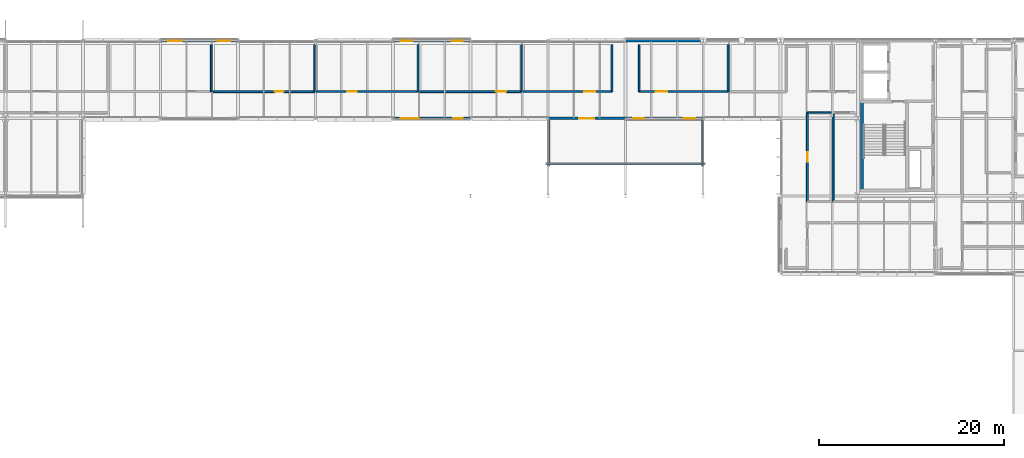
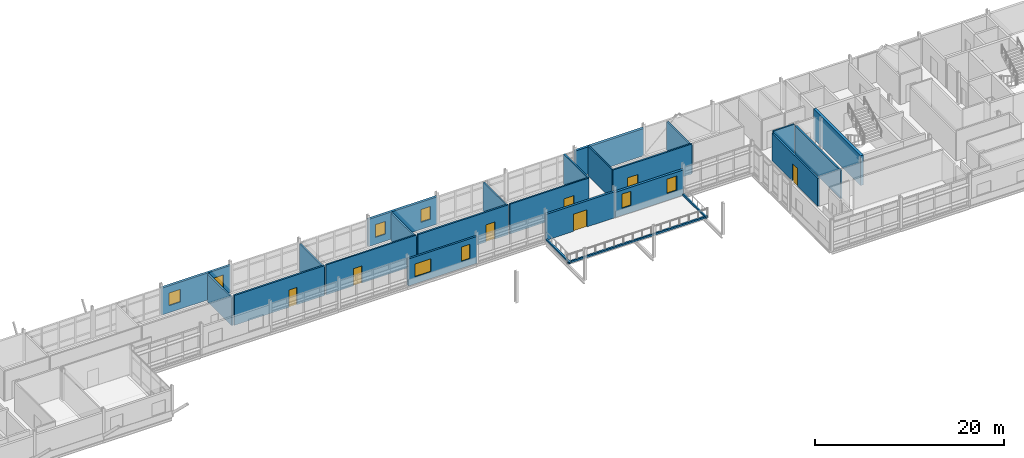
# One storey, part 48 of 57: 25 walls, 8 windows, 7 doors, 15 openings.
"""IFC4 building model written with IfcOpenShell, lengths in metres."""

from ifc_helpers import new_model, si_unit, direction, frame, frame_2d, origin, place, context, subcontext, project, spatial, rectangle, extrude, material, layer, layer_set, type_object, element, fill, save


model = new_model("IFC4")

# Units and contexts
model_context = context("Model", 3, precision=1e-05, world=origin(), true_north=direction((0.0, 1.0)))
body_context = subcontext(model_context, "Body", "Model", "MODEL_VIEW")
ifc_project = project(units=[si_unit("LENGTHUNIT", "METRE"), si_unit("AREAUNIT", "SQUARE_METRE"), si_unit("VOLUMEUNIT", "CUBIC_METRE"), si_unit("PLANEANGLEUNIT", "RADIAN"), si_unit("MASSUNIT", "GRAM", prefix="KILO")], contexts=[model_context])

# Site, building, storey
site_placement = place(None, origin())
site = spatial("IfcSite", under=ifc_project, at=site_placement, CompositionType="ELEMENT")
building_placement = place(site_placement, origin())
building = spatial("IfcBuilding", under=site, at=building_placement, Name="Mersafa Astral City Hall", CompositionType="ELEMENT")
storey_placement = place(building_placement, frame((0.0, 0.0, 26.10009765625)))
storey = spatial("IfcBuildingStorey", under=building, at=storey_placement, Name="L06", CompositionType="ELEMENT", Elevation=26.10009765625)

# Wall, openings, windows
ifc_material_1 = material(Name="Precast concrete C40/50 insulated terracotta spandrel", Category="masonry")
ifc_layer_1 = layer(ifc_material_1, 0.235107421875, Name="Precast concrete C40/50 insulated terracotta spandrel")
ifc_layer_set_1 = layer_set([ifc_layer_1], Name="Precast concrete C40/50 insulated terracotta spandrel — ENV-WAL-EXT-235")
wall_type_1 = type_object("IfcWallType", Name="ENV-WAL-EXT-235", PredefinedType="STANDARD", material=ifc_layer_set_1)
wall_1_placement = place(storey_placement, frame((100.80810546875, 117.60009765625, 0.0), z_axis=(0.0, 0.0, 1.0), x_axis=(1.0, 0.0, 0.0)))
wall_1 = element("IfcWall", 1, at=wall_1_placement, inside=storey, type_object=wall_type_1, Name="L06 Limestone-clad exterior wall 383", PredefinedType="STANDARD", context=body_context, shape_type="SweptSolid", body=[
    extrude(rectangle(XDim=8.3837890625, YDim=0.235107421875, at=frame_2d((4.19189453125, 0.0))), origin(), (0.0, 0.0, 1.0), 3.471923828125),
])
opening_1_placement = place(wall_1_placement, frame((0.85009765625, 0.0, 0.89990234375)))
opening_1 = element("IfcOpeningElement", 2, at=opening_1_placement, cuts=wall_1, Name="Opening W-40", PredefinedType="OPENING", context=body_context, shape_type="SweptSolid", body=[
    extrude(rectangle(XDim=1.919921875, YDim=1.64990234375, at=frame_2d((0.9599609375, 0.824951171875))), frame((0.0, 0.12744140625, 0.0), z_axis=(0.0, -1.0, 0.0), x_axis=(1.0, 0.0, 0.0)), (0.0, 0.0, 1.0), 0.255126953125),
])
opening_2_placement = place(wall_1_placement, frame((6.513916015625, 0.0, 0.89990234375)))
opening_2 = element("IfcOpeningElement", 3, at=opening_2_placement, cuts=wall_1, Name="Opening W-41", PredefinedType="OPENING", context=body_context, shape_type="SweptSolid", body=[
    extrude(rectangle(XDim=1.02001953125, YDim=1.85009765625, at=frame_2d((0.510009765625, 0.925048828125))), frame((0.0, 0.12744140625, 0.0), z_axis=(0.0, -1.0, 0.0), x_axis=(1.0, 0.0, 0.0)), (0.0, 0.0, 1.0), 0.255126953125),
])
ifc_material_2 = material(Name="Solar control low-e double glazing in bronze frame", Category="glass")
window_type_1 = type_object("IfcWindowType", Name="ENV-WIN-W-40", PartitioningType="SINGLE_PANEL", PredefinedType="WINDOW", material=ifc_material_2)
window_1_placement = place(opening_1_placement, origin())
window_1 = element("IfcWindow", 4, at=window_1_placement, inside=storey, type_object=window_type_1, Name="L06 Solar punched window 383-L", OverallHeight=1.64990234375, OverallWidth=1.919921875, PartitioningType="SINGLE_PANEL", PredefinedType="WINDOW", context=body_context, shape_type="SweptSolid", body=[
    extrude(rectangle(XDim=1.919921875, YDim=1.64990234375, at=frame_2d((0.9599609375, 0.824951171875))), frame((0.0, 0.030029296875, 0.0), z_axis=(0.0, -1.0, 0.0), x_axis=(1.0, 0.0, 0.0)), (0.0, 0.0, 1.0), 0.06005859375),
])
fill(opening_1, window_1)
window_type_2 = type_object("IfcWindowType", Name="ENV-WIN-W-41", PartitioningType="SINGLE_PANEL", PredefinedType="WINDOW", material=ifc_material_2)
window_2_placement = place(opening_2_placement, origin())
window_2 = element("IfcWindow", 5, at=window_2_placement, inside=storey, type_object=window_type_2, Name="L06 Solar punched window 383-R", OverallHeight=1.85009765625, OverallWidth=1.02001953125, PartitioningType="SINGLE_PANEL", PredefinedType="WINDOW", context=body_context, shape_type="SweptSolid", body=[
    extrude(rectangle(XDim=1.02001953125, YDim=1.85009765625, at=frame_2d((0.510009765625, 0.925048828125))), frame((0.0, 0.030029296875, 0.0), z_axis=(0.0, -1.0, 0.0), x_axis=(1.0, 0.0, 0.0)), (0.0, 0.0, 1.0), 0.06005859375),
])
fill(opening_2, window_2)

# Wall, opening, door
ifc_material_3 = material(Name="Precast concrete C40/50 insulated limestone wall", Category="masonry")
ifc_layer_2 = layer(ifc_material_3, 0.264892578125, Name="Precast concrete C40/50 insulated limestone wall")
ifc_layer_set_2 = layer_set([ifc_layer_2], Name="Precast concrete C40/50 insulated limestone wall — ENV-WAL-EXT-265")
wall_type_2 = type_object("IfcWallType", Name="ENV-WAL-EXT-265", PredefinedType="STANDARD", material=ifc_layer_set_2)
wall_2_placement = place(storey_placement, frame((117.60791015625, 117.60009765625, 0.0), z_axis=(0.0, 0.0, 1.0), x_axis=(1.0, 0.0, 0.0)))
wall_2 = element("IfcWall", 6, at=wall_2_placement, inside=storey, type_object=wall_type_2, Name="L06 Terrace access facade wall TER-L06-V6S", PredefinedType="STANDARD", context=body_context, shape_type="SweptSolid", body=[
    extrude(rectangle(XDim=8.384033203125, YDim=0.264892578125, at=frame_2d((4.19189453125, 0.0))), origin(), (0.0, 0.0, 1.0), 3.35693359375),
])
opening_3_placement = place(wall_2_placement, frame((3.362060546875, 0.0, 0.0)))
opening_3 = element("IfcOpeningElement", 7, at=opening_3_placement, cuts=wall_2, Name="Opening TD-2", PredefinedType="OPENING", context=body_context, shape_type="SweptSolid", body=[
    extrude(rectangle(XDim=1.659912109375, YDim=2.219970703125, at=frame_2d((0.830078125, 1.10986328125))), frame((0.0, 0.142333984375, 0.0), z_axis=(0.0, -1.0, 0.0), x_axis=(1.0, 0.0, 0.0)), (0.0, 0.0, 1.0), 0.284912109375),
])
ifc_material_4 = material(Name="Anodised bronze glazed terrace door pair", Category="metal")
door_type_1 = type_object("IfcDoorType", Name="ENV-DR-TER-1660", OperationType="NOTDEFINED", PredefinedType="DOOR", material=ifc_material_4)
door_1_placement = place(opening_3_placement, origin())
door_1 = element("IfcDoor", 8, at=door_1_placement, inside=storey, type_object=door_type_1, Name="L06 Civic Roof Terrace Access Door TER-L06-V6S", OperationType="DOUBLE_DOOR_SINGLE_SWING", OverallHeight=2.219970703125, OverallWidth=1.659912109375, PredefinedType="DOOR", context=body_context, shape_type="SweptSolid", body=[
    extrude(rectangle(XDim=1.659912109375, YDim=2.219970703125, at=frame_2d((0.830078125, 1.10986328125))), frame((0.0, 0.02490234375, 0.0), z_axis=(0.0, -1.0, 0.0), x_axis=(1.0, 0.0, 0.0)), (0.0, 0.0, 1.0), 0.050048828125),
])
fill(opening_3, door_1)

# Wall, openings, windows
ifc_layer_3 = layer(ifc_material_3, 0.280029296875, Name="Precast concrete C40/50 insulated limestone wall")
ifc_layer_set_3 = layer_set([ifc_layer_3], Name="Precast concrete C40/50 insulated limestone wall — ENV-WAL-EXT-280")
wall_type_3 = type_object("IfcWallType", Name="ENV-WAL-EXT-280", PredefinedType="STANDARD", material=ifc_layer_set_3)
wall_3_placement = place(storey_placement, frame((83.991943359375, 126.0, 0.0), z_axis=(0.0, 0.0, 1.0), x_axis=(-1.0, 0.0, 0.0)))
wall_3 = element("IfcWall", 9, at=wall_3_placement, inside=storey, type_object=wall_type_3, Name="L06 Limestone-clad exterior wall 374", PredefinedType="STANDARD", context=body_context, shape_type="SweptSolid", body=[
    extrude(rectangle(XDim=8.384033203125, YDim=0.280029296875, at=frame_2d((4.19189453125, 0.0))), origin(), (0.0, 0.0, 1.0), 3.471923828125),
])
opening_4_placement = place(wall_3_placement, frame((0.85009765625, 0.0, 0.89990234375)))
opening_4 = element("IfcOpeningElement", 10, at=opening_4_placement, cuts=wall_3, Name="Opening W-34", PredefinedType="OPENING", context=body_context, shape_type="SweptSolid", body=[
    extrude(rectangle(XDim=1.320068359375, YDim=1.64990234375, at=frame_2d((0.66015625, 0.824951171875))), frame((0.0, 0.14990234375, 0.0), z_axis=(0.0, -1.0, 0.0), x_axis=(1.0, 0.0, 0.0)), (0.0, 0.0, 1.0), 0.300048828125),
])
opening_5_placement = place(wall_3_placement, frame((6.114013671875, 0.0, 0.89990234375)))
opening_5 = element("IfcOpeningElement", 11, at=opening_5_placement, cuts=wall_3, Name="Opening W-35", PredefinedType="OPENING", context=body_context, shape_type="SweptSolid", body=[
    extrude(rectangle(XDim=1.419921875, YDim=1.64990234375, at=frame_2d((0.7099609375, 0.824951171875))), frame((0.0, 0.14990234375, 0.0), z_axis=(0.0, -1.0, 0.0), x_axis=(1.0, 0.0, 0.0)), (0.0, 0.0, 1.0), 0.300048828125),
])
window_type_3 = type_object("IfcWindowType", Name="ENV-WIN-W-34", PartitioningType="SINGLE_PANEL", PredefinedType="WINDOW", material=ifc_material_2)
window_3_placement = place(opening_4_placement, origin())
window_3 = element("IfcWindow", 12, at=window_3_placement, inside=storey, type_object=window_type_3, Name="L06 Solar punched window 374-L", OverallHeight=1.64990234375, OverallWidth=1.320068359375, PartitioningType="SINGLE_PANEL", PredefinedType="WINDOW", context=body_context, shape_type="SweptSolid", body=[
    extrude(rectangle(XDim=1.320068359375, YDim=1.64990234375, at=frame_2d((0.66015625, 0.824951171875))), frame((0.0, 0.030029296875, 0.0), z_axis=(0.0, -1.0, 0.0), x_axis=(1.0, 0.0, 0.0)), (0.0, 0.0, 1.0), 0.06005859375),
])
fill(opening_4, window_3)
window_type_4 = type_object("IfcWindowType", Name="ENV-WIN-W-35", PartitioningType="SINGLE_PANEL", PredefinedType="WINDOW", material=ifc_material_2)
window_4_placement = place(opening_5_placement, origin())
window_4 = element("IfcWindow", 13, at=window_4_placement, inside=storey, type_object=window_type_4, Name="L06 Solar punched window 374-R", OverallHeight=1.64990234375, OverallWidth=1.419921875, PartitioningType="SINGLE_PANEL", PredefinedType="WINDOW", context=body_context, shape_type="SweptSolid", body=[
    extrude(rectangle(XDim=1.419921875, YDim=1.64990234375, at=frame_2d((0.7099609375, 0.824951171875))), frame((0.0, 0.030029296875, 0.0), z_axis=(0.0, -1.0, 0.0), x_axis=(1.0, 0.0, 0.0)), (0.0, 0.0, 1.0), 0.06005859375),
])
fill(opening_5, window_4)

ifc_layer_4 = layer(ifc_material_3, 0.294921875, Name="Precast concrete C40/50 insulated limestone wall")
ifc_layer_set_4 = layer_set([ifc_layer_4], Name="Precast concrete C40/50 insulated limestone wall — ENV-WAL-EXT-295")
wall_type_4 = type_object("IfcWallType", Name="ENV-WAL-EXT-295", PredefinedType="STANDARD", material=ifc_layer_set_4)
wall_4_placement = place(storey_placement, frame((109.19189453125, 126.0, 0.0), z_axis=(0.0, 0.0, 1.0), x_axis=(-1.0, 0.0, 0.0)))
wall_4 = element("IfcWall", 14, at=wall_4_placement, inside=storey, type_object=wall_type_4, Name="L06 Limestone-clad exterior wall 373", PredefinedType="STANDARD", context=body_context, shape_type="SweptSolid", body=[
    extrude(rectangle(XDim=8.3837890625, YDim=0.294921875, at=frame_2d((4.19189453125, 0.0))), origin(), (0.0, 0.0, 1.0), 3.501953125),
])
opening_6_placement = place(wall_4_placement, frame((0.85009765625, 0.0, 0.89990234375)))
opening_6 = element("IfcOpeningElement", 15, at=opening_6_placement, cuts=wall_4, Name="Opening W-32", PredefinedType="OPENING", context=body_context, shape_type="SweptSolid", body=[
    extrude(rectangle(XDim=1.1201171875, YDim=1.64990234375, at=frame_2d((0.56005859375, 0.824951171875))), frame((0.0, 0.157470703125, 0.0), z_axis=(0.0, -1.0, 0.0), x_axis=(1.0, 0.0, 0.0)), (0.0, 0.0, 1.0), 0.31494140625),
])
opening_7_placement = place(wall_4_placement, frame((6.31396484375, 0.0, 0.89990234375)))
opening_7 = element("IfcOpeningElement", 16, at=opening_7_placement, cuts=wall_4, Name="Opening W-33", PredefinedType="OPENING", context=body_context, shape_type="SweptSolid", body=[
    extrude(rectangle(XDim=1.219970703125, YDim=1.64990234375, at=frame_2d((0.60986328125, 0.824951171875))), frame((0.0, 0.157470703125, 0.0), z_axis=(0.0, -1.0, 0.0), x_axis=(1.0, 0.0, 0.0)), (0.0, 0.0, 1.0), 0.31494140625),
])
window_type_5 = type_object("IfcWindowType", Name="ENV-WIN-W-32", PartitioningType="SINGLE_PANEL", PredefinedType="WINDOW", material=ifc_material_2)
window_5_placement = place(opening_6_placement, origin())
window_5 = element("IfcWindow", 17, at=window_5_placement, inside=storey, type_object=window_type_5, Name="L06 Solar punched window 373-L", OverallHeight=1.64990234375, OverallWidth=1.1201171875, PartitioningType="SINGLE_PANEL", PredefinedType="WINDOW", context=body_context, shape_type="SweptSolid", body=[
    extrude(rectangle(XDim=1.1201171875, YDim=1.64990234375, at=frame_2d((0.56005859375, 0.824951171875))), frame((0.0, 0.030029296875, 0.0), z_axis=(0.0, -1.0, 0.0), x_axis=(1.0, 0.0, 0.0)), (0.0, 0.0, 1.0), 0.06005859375),
])
fill(opening_6, window_5)
window_type_6 = type_object("IfcWindowType", Name="ENV-WIN-W-33", PartitioningType="SINGLE_PANEL", PredefinedType="WINDOW", material=ifc_material_2)
window_6_placement = place(opening_7_placement, origin())
window_6 = element("IfcWindow", 18, at=window_6_placement, inside=storey, type_object=window_type_6, Name="L06 Solar punched window 373-R", OverallHeight=1.64990234375, OverallWidth=1.219970703125, PartitioningType="SINGLE_PANEL", PredefinedType="WINDOW", context=body_context, shape_type="SweptSolid", body=[
    extrude(rectangle(XDim=1.219970703125, YDim=1.64990234375, at=frame_2d((0.60986328125, 0.824951171875))), frame((0.0, 0.030029296875, 0.0), z_axis=(0.0, -1.0, 0.0), x_axis=(1.0, 0.0, 0.0)), (0.0, 0.0, 1.0), 0.06005859375),
])
fill(opening_7, window_6)

wall_5_placement = place(storey_placement, frame((126.008056640625, 117.60009765625, 0.0), z_axis=(0.0, 0.0, 1.0), x_axis=(1.0, 0.0, 0.0)))
wall_5 = element("IfcWall", 19, at=wall_5_placement, inside=storey, type_object=wall_type_4, Name="L06 Limestone-clad exterior wall 385", PredefinedType="STANDARD", context=body_context, shape_type="SweptSolid", body=[
    extrude(rectangle(XDim=8.384033203125, YDim=0.294921875, at=frame_2d((4.19189453125, 0.0))), origin(), (0.0, 0.0, 1.0), 3.2568359375),
])
opening_8_placement = place(wall_5_placement, frame((0.85009765625, 0.0, 0.89990234375)))
opening_8 = element("IfcOpeningElement", 20, at=opening_8_placement, cuts=wall_5, Name="Opening W-42", PredefinedType="OPENING", context=body_context, shape_type="SweptSolid", body=[
    extrude(rectangle(XDim=1.1201171875, YDim=1.85009765625, at=frame_2d((0.56005859375, 0.925048828125))), frame((0.0, 0.157470703125, 0.0), z_axis=(0.0, -1.0, 0.0), x_axis=(1.0, 0.0, 0.0)), (0.0, 0.0, 1.0), 0.31494140625),
])
opening_9_placement = place(wall_5_placement, frame((6.31396484375, 0.0, 0.89990234375)))
opening_9 = element("IfcOpeningElement", 21, at=opening_9_placement, cuts=wall_5, Name="Opening W-43", PredefinedType="OPENING", context=body_context, shape_type="SweptSolid", body=[
    extrude(rectangle(XDim=1.219970703125, YDim=1.85009765625, at=frame_2d((0.60986328125, 0.925048828125))), frame((0.0, 0.157470703125, 0.0), z_axis=(0.0, -1.0, 0.0), x_axis=(1.0, 0.0, 0.0)), (0.0, 0.0, 1.0), 0.31494140625),
])
window_type_7 = type_object("IfcWindowType", Name="ENV-WIN-W-42", PartitioningType="SINGLE_PANEL", PredefinedType="WINDOW", material=ifc_material_2)
window_7_placement = place(opening_8_placement, origin())
window_7 = element("IfcWindow", 22, at=window_7_placement, inside=storey, type_object=window_type_7, Name="L06 Solar punched window 385-L", OverallHeight=1.85009765625, OverallWidth=1.1201171875, PartitioningType="SINGLE_PANEL", PredefinedType="WINDOW", context=body_context, shape_type="SweptSolid", body=[
    extrude(rectangle(XDim=1.1201171875, YDim=1.85009765625, at=frame_2d((0.56005859375, 0.925048828125))), frame((0.0, 0.030029296875, 0.0), z_axis=(0.0, -1.0, 0.0), x_axis=(1.0, 0.0, 0.0)), (0.0, 0.0, 1.0), 0.06005859375),
])
fill(opening_8, window_7)
window_type_8 = type_object("IfcWindowType", Name="ENV-WIN-W-43", PartitioningType="SINGLE_PANEL", PredefinedType="WINDOW", material=ifc_material_2)
window_8_placement = place(opening_9_placement, origin())
window_8 = element("IfcWindow", 23, at=window_8_placement, inside=storey, type_object=window_type_8, Name="L06 Solar punched window 385-R", OverallHeight=1.85009765625, OverallWidth=1.219970703125, PartitioningType="SINGLE_PANEL", PredefinedType="WINDOW", context=body_context, shape_type="SweptSolid", body=[
    extrude(rectangle(XDim=1.219970703125, YDim=1.85009765625, at=frame_2d((0.60986328125, 0.925048828125))), frame((0.0, 0.030029296875, 0.0), z_axis=(0.0, -1.0, 0.0), x_axis=(1.0, 0.0, 0.0)), (0.0, 0.0, 1.0), 0.06005859375),
])
fill(opening_9, window_8)

# Walls
ifc_layer_5 = layer(ifc_material_3, 0.31005859375, Name="Precast concrete C40/50 insulated limestone wall")
ifc_layer_set_5 = layer_set([ifc_layer_5], Name="Precast concrete C40/50 insulated limestone wall — ENV-WAL-EXT-310")
wall_type_5 = type_object("IfcWallType", Name="ENV-WAL-EXT-310", PredefinedType="STANDARD", material=ifc_layer_set_5)
wall_6_placement = place(storey_placement, frame((134.39208984375, 126.0, 0.0), z_axis=(0.0, 0.0, 1.0), x_axis=(-1.0, 0.0, 0.0)))
element("IfcWall", 24, at=wall_6_placement, inside=storey, type_object=wall_type_5, Name="L06 Limestone-clad exterior wall 372", PredefinedType="STANDARD", context=body_context, shape_type="SweptSolid", body=[
    extrude(rectangle(XDim=8.384033203125, YDim=0.31005859375, at=frame_2d((4.19189453125, 0.0))), origin(), (0.0, 0.0, 1.0), 3.496826171875),
])
ifc_material_5 = material(Name="Precast concrete C40/50 parapet", Category="concrete")
ifc_layer_6 = layer(ifc_material_5, 0.199951171875, Name="Precast concrete C40/50 parapet")
ifc_layer_set_6 = layer_set([ifc_layer_6], Name="Precast concrete C40/50 parapet — ENV-WAL-PAR-200")
wall_type_6 = type_object("IfcWallType", Name="ENV-WAL-PAR-200", PredefinedType="PARAPET", material=ifc_layer_set_6)
for number, where, z_axis, x_axis, name in (
    (25, (134.330078125, 112.4599609375, 0.0), (0.0, 0.0, 1.0), (0.0, 1.0, 0.0), "L06 Terrace stone kerb parapet 14"),
    (26, (117.669921875, 117.4599609375, 0.0), (0.0, 0.0, 1.0), (0.0, -1.0, 0.0), "L06 Terrace stone kerb parapet 15"),
):
    element("IfcWall", number, at=place(storey_placement, frame(where, z_axis=z_axis, x_axis=x_axis)), inside=storey, type_object=wall_type_6, Name=name, PredefinedType="PARAPET", context=body_context, shape_type="SweptSolid", body=[
        extrude(rectangle(XDim=5.0, YDim=0.199951171875, at=frame_2d((2.5, 0.0))), origin(), (0.0, 0.0, 1.0), 0.219970703125),
    ])
wall_7_placement = place(storey_placement, frame((117.4599609375, 112.669921875, 0.0), z_axis=(0.0, 0.0, 1.0), x_axis=(1.0, 0.0, 0.0)))
element("IfcWall", 27, at=wall_7_placement, inside=storey, type_object=wall_type_6, Name="L06 Terrace stone kerb parapet 16", PredefinedType="PARAPET", context=body_context, shape_type="SweptSolid", body=[
    extrude(rectangle(XDim=17.080078125, YDim=0.199951171875, at=frame_2d((8.5400390625, 0.0))), origin(), (0.0, 0.0, 1.0), 0.219970703125),
])
ifc_material_6 = material(Name="Concrete C40/50", Category="concrete")
ifc_layer_7 = layer(ifc_material_6, 0.340087890625, Name="Concrete C40/50")
ifc_layer_set_7 = layer_set([ifc_layer_7], Name="Concrete C40/50 — INT-WAL-CORE-340")
wall_type_7 = type_object("IfcWallType", Name="INT-WAL-CORE-340", PredefinedType="SHEAR", material=ifc_layer_set_7)
wall_8_placement = place(storey_placement, frame((151.60498046875, 109.60498046875, 0.0), z_axis=(0.0, 0.0, 1.0), x_axis=(0.0, 1.0, 0.0)))
element("IfcWall", 28, at=wall_8_placement, inside=storey, type_object=wall_type_7, Name="L06 Core K1 stair west shear wall", PredefinedType="SHEAR", context=body_context, shape_type="SweptSolid", body=[
    extrude(rectangle(XDim=9.989990234375, YDim=0.340087890625, at=frame_2d((4.9951171875, 0.0))), origin(), (0.0, 0.0, 1.0), 3.849853515625),
])
ifc_material_7 = material(Name="Fire-rated gypsum stud partition", Category="gypsum")
ifc_layer_8 = layer(ifc_material_7, 0.1650390625, Name="Fire-rated gypsum stud partition")
ifc_layer_set_8 = layer_set([ifc_layer_8], Name="Fire-rated gypsum stud partition — INT-WAL-PART-EI60-165")
wall_type_8 = type_object("IfcWallType", Name="INT-WAL-PART-EI60-165", PredefinedType="STANDARD", material=ifc_layer_set_8)
wall_9_placement = place(storey_placement, frame((92.31005859375, 125.580078125, -0.004150390625), z_axis=(0.0, 0.0, 1.0), x_axis=(0.0, -1.0, 0.0)))
element("IfcWall", 29, at=wall_9_placement, inside=storey, type_object=wall_type_8, Name="L06 Interior partition wall 819", PredefinedType="STANDARD", context=body_context, shape_type="SweptSolid", body=[
    extrude(rectangle(XDim=5.080078125, YDim=0.1650390625, at=frame_2d((2.5400390625, 0.0))), origin(), (0.0, 0.0, 1.0), 3.566162109375),
])
wall_10_placement = place(storey_placement, frame((114.7099609375, 125.580078125, -0.004150390625), z_axis=(0.0, 0.0, 1.0), x_axis=(0.0, -1.0, 0.0)))
element("IfcWall", 30, at=wall_10_placement, inside=storey, type_object=wall_type_8, Name="L06 Interior partition wall 823", PredefinedType="STANDARD", context=body_context, shape_type="SweptSolid", body=[
    extrude(rectangle(XDim=5.080078125, YDim=0.1650390625, at=frame_2d((2.5400390625, 0.0))), origin(), (0.0, 0.0, 1.0), 3.64111328125),
])
wall_11_placement = place(storey_placement, frame((127.47998046875, 120.5, -0.004150390625), z_axis=(0.0, 0.0, 1.0), x_axis=(0.0, 1.0, 0.0)))
element("IfcWall", 31, at=wall_11_placement, inside=storey, type_object=wall_type_8, Name="L06 Interior partition wall 827", PredefinedType="STANDARD", context=body_context, shape_type="SweptSolid", body=[
    extrude(rectangle(XDim=5.080078125, YDim=0.1650390625, at=frame_2d((2.5400390625, 0.0))), origin(), (0.0, 0.0, 1.0), 3.85400390625),
])

# Wall, opening, door
ifc_material_8 = material(Name="Acoustic twin-stud gypsum partition", Category="gypsum")
ifc_layer_9 = layer(ifc_material_8, 0.179931640625, Name="Acoustic twin-stud gypsum partition")
ifc_layer_set_9 = layer_set([ifc_layer_9], Name="Acoustic twin-stud gypsum partition — INT-WAL-PART-EI60-180")
wall_type_9 = type_object("IfcWallType", Name="INT-WAL-PART-EI60-180", PredefinedType="STANDARD", material=ifc_layer_set_9)
wall_12_placement = place(storey_placement, frame((103.510009765625, 120.5, -0.004150390625), z_axis=(0.0, 0.0, 1.0), x_axis=(-1.0, 0.0, 0.0)))
wall_12 = element("IfcWall", 32, at=wall_12_placement, inside=storey, type_object=wall_type_9, Name="L06 Interior partition wall 822", PredefinedType="STANDARD", context=body_context, shape_type="SweptSolid", body=[
    extrude(rectangle(XDim=11.02001953125, YDim=0.179931640625, at=frame_2d((5.510009765625, 0.0))), origin(), (0.0, 0.0, 1.0), 3.85400390625),
])
opening_10_placement = place(wall_12_placement, frame((6.64306640625, 0.0, 0.0)))
opening_10 = element("IfcOpeningElement", 33, at=opening_10_placement, cuts=wall_12, Name="Opening D-21", PredefinedType="OPENING", context=body_context, shape_type="SweptSolid", body=[
    extrude(rectangle(XDim=1.0400390625, YDim=2.219970703125, at=frame_2d((0.52001953125, 1.10986328125))), frame((0.0, 0.099853515625, 0.0), z_axis=(0.0, -1.0, 0.0), x_axis=(1.0, 0.0, 0.0)), (0.0, 0.0, 1.0), 0.199951171875),
])
ifc_material_9 = material(Name="Cedar veneered acoustic fire-rated timber door", Category="wood")
door_type_2 = type_object("IfcDoorType", Name="INT-DR-RM-D-21", OperationType="NOTDEFINED", PredefinedType="DOOR", material=ifc_material_9)
door_2_placement = place(opening_10_placement, origin())
door_2 = element("IfcDoor", 34, at=door_2_placement, inside=storey, type_object=door_type_2, Name="L06 Chief Of Staff Office L06-06 Entrance Door", OperationType="SINGLE_SWING_LEFT", OverallHeight=2.219970703125, OverallWidth=1.0400390625, PredefinedType="DOOR", context=body_context, shape_type="SweptSolid", body=[
    extrude(rectangle(XDim=1.0400390625, YDim=2.219970703125, at=frame_2d((0.52001953125, 1.10986328125))), frame((0.0, 0.02490234375, 0.0), z_axis=(0.0, -1.0, 0.0), x_axis=(1.0, 0.0, 0.0)), (0.0, 0.0, 1.0), 0.050048828125),
])
fill(opening_10, door_2)

wall_13_placement = place(storey_placement, frame((124.52001953125, 120.5, -0.004150390625), z_axis=(0.0, 0.0, 1.0), x_axis=(-1.0, 0.0, 0.0)))
wall_13 = element("IfcWall", 35, at=wall_13_placement, inside=storey, type_object=wall_type_9, Name="L06 Interior partition wall 826", PredefinedType="STANDARD", context=body_context, shape_type="SweptSolid", body=[
    extrude(rectangle(XDim=9.630126953125, YDim=0.179931640625, at=frame_2d((4.81494140625, 0.0))), origin(), (0.0, 0.0, 1.0), 3.85400390625),
])
opening_11_placement = place(wall_13_placement, frame((1.8173828125, 0.0, 0.0)))
opening_11 = element("IfcOpeningElement", 36, at=opening_11_placement, cuts=wall_13, Name="Opening D-23", PredefinedType="OPENING", context=body_context, shape_type="SweptSolid", body=[
    extrude(rectangle(XDim=1.179931640625, YDim=2.219970703125, at=frame_2d((0.58984375, 1.10986328125))), frame((0.0, 0.099853515625, 0.0), z_axis=(0.0, -1.0, 0.0), x_axis=(1.0, 0.0, 0.0)), (0.0, 0.0, 1.0), 0.199951171875),
])
door_type_3 = type_object("IfcDoorType", Name="INT-DR-RM-D-23", OperationType="NOTDEFINED", PredefinedType="DOOR", material=ifc_material_9)
door_3_placement = place(opening_11_placement, origin())
door_3 = element("IfcDoor", 37, at=door_3_placement, inside=storey, type_object=door_type_3, Name="L06 Mayoral Suite L06-08 Entrance Door", OperationType="SINGLE_SWING_LEFT", OverallHeight=2.219970703125, OverallWidth=1.179931640625, PredefinedType="DOOR", context=body_context, shape_type="SweptSolid", body=[
    extrude(rectangle(XDim=1.179931640625, YDim=2.219970703125, at=frame_2d((0.58984375, 1.10986328125))), frame((0.0, 0.02490234375, 0.0), z_axis=(0.0, -1.0, 0.0), x_axis=(1.0, 0.0, 0.0)), (0.0, 0.0, 1.0), 0.050048828125),
])
fill(opening_11, door_3)

# Walls
wall_14_placement = place(storey_placement, frame((145.699951171875, 118.219970703125, -0.004150390625), z_axis=(0.0, 0.0, 1.0), x_axis=(1.0, 0.0, 0.0)))
element("IfcWall", 38, at=wall_14_placement, inside=storey, type_object=wall_type_9, Name="L06 Interior partition wall 854", PredefinedType="STANDARD", context=body_context, shape_type="SweptSolid", body=[
    extrude(rectangle(XDim=2.610107421875, YDim=0.179931640625, at=frame_2d((1.30517578125, 0.0))), origin(), (0.0, 0.0, 1.0), 3.85400390625),
])
ifc_layer_10 = layer(ifc_material_8, 0.195068359375, Name="Acoustic twin-stud gypsum partition")
ifc_layer_set_10 = layer_set([ifc_layer_10], Name="Acoustic twin-stud gypsum partition — INT-WAL-PART-EI60-195")
wall_type_10 = type_object("IfcWallType", Name="INT-WAL-PART-EI60-195", PredefinedType="STANDARD", material=ifc_layer_set_10)
for number, where, z_axis, x_axis, name in (
    (39, (81.110107421875, 125.580078125, -0.004150390625), (0.0, 0.0, 1.0), (0.0, -1.0, 0.0), "L06 Interior partition wall 817"),
    (40, (103.510009765625, 125.580078125, -0.004150390625), (0.0, 0.0, 1.0), (0.0, -1.0, 0.0), "L06 Interior partition wall 821"),
):
    element("IfcWall", number, at=place(storey_placement, frame(where, z_axis=z_axis, x_axis=x_axis)), inside=storey, type_object=wall_type_10, Name=name, PredefinedType="STANDARD", context=body_context, shape_type="SweptSolid", body=[
        extrude(rectangle(XDim=5.080078125, YDim=0.195068359375, at=frame_2d((2.5400390625, 0.0))), origin(), (0.0, 0.0, 1.0), 3.566162109375),
    ])
wall_15_placement = place(storey_placement, frame((124.52001953125, 125.580078125, -0.004150390625), z_axis=(0.0, 0.0, 1.0), x_axis=(0.0, -1.0, 0.0)))
element("IfcWall", 41, at=wall_15_placement, inside=storey, type_object=wall_type_10, Name="L06 Interior partition wall 825", PredefinedType="STANDARD", context=body_context, shape_type="SweptSolid", body=[
    extrude(rectangle(XDim=5.080078125, YDim=0.195068359375, at=frame_2d((2.5400390625, 0.0))), origin(), (0.0, 0.0, 1.0), 3.85400390625),
])

# Wall, opening, door
wall_16_placement = place(storey_placement, frame((137.110107421875, 120.5, -0.004150390625), z_axis=(0.0, 0.0, 1.0), x_axis=(-1.0, 0.0, 0.0)))
wall_16 = element("IfcWall", 42, at=wall_16_placement, inside=storey, type_object=wall_type_10, Name="L06 Interior partition wall 829", PredefinedType="STANDARD", context=body_context, shape_type="SweptSolid", body=[
    extrude(rectangle(XDim=9.630126953125, YDim=0.195068359375, at=frame_2d((4.81494140625, 0.0))), origin(), (0.0, 0.0, 1.0), 3.85400390625),
])
opening_12_placement = place(wall_16_placement, frame((6.58251953125, 0.0, 0.0)))
opening_12 = element("IfcOpeningElement", 43, at=opening_12_placement, cuts=wall_16, Name="Opening D-24", PredefinedType="OPENING", context=body_context, shape_type="SweptSolid", body=[
    extrude(rectangle(XDim=1.280029296875, YDim=2.219970703125, at=frame_2d((0.64013671875, 1.10986328125))), frame((0.0, 0.107421875, 0.0), z_axis=(0.0, -1.0, 0.0), x_axis=(1.0, 0.0, 0.0)), (0.0, 0.0, 1.0), 0.215087890625),
])
door_type_4 = type_object("IfcDoorType", Name="INT-DR-RM-D-24", OperationType="NOTDEFINED", PredefinedType="DOOR", material=ifc_material_9)
door_4_placement = place(opening_12_placement, origin())
door_4 = element("IfcDoor", 44, at=door_4_placement, inside=storey, type_object=door_type_4, Name="L06 Ceremonial Conference Room L06-09 Entrance Door", OperationType="SINGLE_SWING_RIGHT", OverallHeight=2.219970703125, OverallWidth=1.280029296875, PredefinedType="DOOR", context=body_context, shape_type="SweptSolid", body=[
    extrude(rectangle(XDim=1.280029296875, YDim=2.219970703125, at=frame_2d((0.64013671875, 1.10986328125))), frame((0.0, 0.02490234375, 0.0), z_axis=(0.0, -1.0, 0.0), x_axis=(1.0, 0.0, 0.0)), (0.0, 0.0, 1.0), 0.050048828125),
])
fill(opening_12, door_4)

wall_17_placement = place(storey_placement, frame((145.699951171875, 108.580078125, -0.004150390625), z_axis=(0.0, 0.0, 1.0), x_axis=(0.0, 1.0, 0.0)))
wall_17 = element("IfcWall", 45, at=wall_17_placement, inside=storey, type_object=wall_type_10, Name="L06 Interior partition wall 853", PredefinedType="STANDARD", context=body_context, shape_type="SweptSolid", body=[
    extrude(rectangle(XDim=9.639892578125, YDim=0.195068359375, at=frame_2d((4.81982421875, 0.0))), origin(), (0.0, 0.0, 1.0), 3.591064453125),
])
opening_13_placement = place(wall_17_placement, frame((4.300048828125, 0.0, 0.0)))
opening_13 = element("IfcOpeningElement", 46, at=opening_13_placement, cuts=wall_17, Name="Opening D-30", PredefinedType="OPENING", context=body_context, shape_type="SweptSolid", body=[
    extrude(rectangle(XDim=1.0400390625, YDim=2.300048828125, at=frame_2d((0.52001953125, 1.14990234375))), frame((0.0, 0.107421875, 0.0), z_axis=(0.0, -1.0, 0.0), x_axis=(1.0, 0.0, 0.0)), (0.0, 0.0, 1.0), 0.215087890625),
])
door_type_5 = type_object("IfcDoorType", Name="INT-DR-RM-D-30", OperationType="NOTDEFINED", PredefinedType="DOOR", material=ifc_material_9)
door_5_placement = place(opening_13_placement, origin())
door_5 = element("IfcDoor", 47, at=door_5_placement, inside=storey, type_object=door_type_5, Name="L06 Mayoral Suite L06-15 Entrance Door", OperationType="SINGLE_SWING_RIGHT", OverallHeight=2.300048828125, OverallWidth=1.0400390625, PredefinedType="DOOR", context=body_context, shape_type="SweptSolid", body=[
    extrude(rectangle(XDim=1.0400390625, YDim=2.300048828125, at=frame_2d((0.52001953125, 1.14990234375))), frame((0.0, 0.02490234375, 0.0), z_axis=(0.0, -1.0, 0.0), x_axis=(1.0, 0.0, 0.0)), (0.0, 0.0, 1.0), 0.050048828125),
])
fill(opening_13, door_5)

ifc_material_10 = material(Name="Autoclaved aerated concrete blockwork plastered", Category="masonry")
ifc_layer_11 = layer(ifc_material_10, 0.2099609375, Name="Autoclaved aerated concrete blockwork plastered")
ifc_layer_set_11 = layer_set([ifc_layer_11], Name="Autoclaved aerated concrete blockwork plastered — INT-WAL-PART-EI60-210")
wall_type_11 = type_object("IfcWallType", Name="INT-WAL-PART-EI60-210", PredefinedType="STANDARD", material=ifc_layer_set_11)
wall_18_placement = place(storey_placement, frame((92.31005859375, 120.5, -0.004150390625), z_axis=(0.0, 0.0, 1.0), x_axis=(-1.0, 0.0, 0.0)))
wall_18 = element("IfcWall", 48, at=wall_18_placement, inside=storey, type_object=wall_type_11, Name="L06 Interior partition wall 820", PredefinedType="STANDARD", context=body_context, shape_type="SweptSolid", body=[
    extrude(rectangle(XDim=11.02001953125, YDim=0.2099609375, at=frame_2d((5.510009765625, 0.0))), origin(), (0.0, 0.0, 1.0), 3.85400390625),
])
opening_14_placement = place(wall_18_placement, frame((3.366943359375, 0.0, 0.0)))
opening_14 = element("IfcOpeningElement", 49, at=opening_14_placement, cuts=wall_18, Name="Opening D-20", PredefinedType="OPENING", context=body_context, shape_type="SweptSolid", body=[
    extrude(rectangle(XDim=0.97998046875, YDim=2.219970703125, at=frame_2d((0.489990234375, 1.10986328125))), frame((0.0, 0.114990234375, 0.0), z_axis=(0.0, -1.0, 0.0), x_axis=(1.0, 0.0, 0.0)), (0.0, 0.0, 1.0), 0.22998046875),
])
door_type_6 = type_object("IfcDoorType", Name="INT-DR-RM-D-20", OperationType="NOTDEFINED", PredefinedType="DOOR", material=ifc_material_9)
door_6_placement = place(opening_14_placement, origin())
door_6 = element("IfcDoor", 50, at=door_6_placement, inside=storey, type_object=door_type_6, Name="L06 Civic Diplomatic Reception Salon L06-05 Entrance Door", OperationType="SINGLE_SWING_RIGHT", OverallHeight=2.219970703125, OverallWidth=0.97998046875, PredefinedType="DOOR", context=body_context, shape_type="SweptSolid", body=[
    extrude(rectangle(XDim=0.97998046875, YDim=2.219970703125, at=frame_2d((0.489990234375, 1.10986328125))), frame((0.0, 0.02490234375, 0.0), z_axis=(0.0, -1.0, 0.0), x_axis=(1.0, 0.0, 0.0)), (0.0, 0.0, 1.0), 0.050048828125),
])
fill(opening_14, door_6)

wall_19_placement = place(storey_placement, frame((114.7099609375, 120.5, -0.004150390625), z_axis=(0.0, 0.0, 1.0), x_axis=(-1.0, 0.0, 0.0)))
wall_19 = element("IfcWall", 51, at=wall_19_placement, inside=storey, type_object=wall_type_11, Name="L06 Interior partition wall 824", PredefinedType="STANDARD", context=body_context, shape_type="SweptSolid", body=[
    extrude(rectangle(XDim=11.02001953125, YDim=0.2099609375, at=frame_2d((5.510009765625, 0.0))), origin(), (0.0, 0.0, 1.0), 3.85400390625),
])
opening_15_placement = place(wall_19_placement, frame((1.654052734375, 0.0, 0.0)))
opening_15 = element("IfcOpeningElement", 52, at=opening_15_placement, cuts=wall_19, Name="Opening D-22", PredefinedType="OPENING", context=body_context, shape_type="SweptSolid", body=[
    extrude(rectangle(XDim=1.10009765625, YDim=2.219970703125, at=frame_2d((0.550048828125, 1.10986328125))), frame((0.0, 0.114990234375, 0.0), z_axis=(0.0, -1.0, 0.0), x_axis=(1.0, 0.0, 0.0)), (0.0, 0.0, 1.0), 0.22998046875),
])
door_type_7 = type_object("IfcDoorType", Name="INT-DR-RM-D-22", OperationType="NOTDEFINED", PredefinedType="DOOR", material=ifc_material_9)
door_7_placement = place(opening_15_placement, origin())
door_7 = element("IfcDoor", 53, at=door_7_placement, inside=storey, type_object=door_type_7, Name="L06 Public Restroom L06-07 Entrance Door", OperationType="SINGLE_SWING_RIGHT", OverallHeight=2.219970703125, OverallWidth=1.10009765625, PredefinedType="DOOR", context=body_context, shape_type="SweptSolid", body=[
    extrude(rectangle(XDim=1.10009765625, YDim=2.219970703125, at=frame_2d((0.550048828125, 1.10986328125))), frame((0.0, 0.02490234375, 0.0), z_axis=(0.0, -1.0, 0.0), x_axis=(1.0, 0.0, 0.0)), (0.0, 0.0, 1.0), 0.050048828125),
])
fill(opening_15, door_7)

# Walls
wall_20_placement = place(storey_placement, frame((137.110107421875, 125.580078125, -0.004150390625), z_axis=(0.0, 0.0, 1.0), x_axis=(0.0, -1.0, 0.0)))
element("IfcWall", 54, at=wall_20_placement, inside=storey, type_object=wall_type_11, Name="L06 Interior partition wall 828", PredefinedType="STANDARD", context=body_context, shape_type="SweptSolid", body=[
    extrude(rectangle(XDim=5.080078125, YDim=0.2099609375, at=frame_2d((2.5400390625, 0.0))), origin(), (0.0, 0.0, 1.0), 3.62109375),
])
wall_21_placement = place(storey_placement, frame((148.489990234375, 108.580078125, -0.004150390625), z_axis=(0.0, 0.0, 1.0), x_axis=(0.0, 1.0, 0.0)))
element("IfcWall", 55, at=wall_21_placement, inside=storey, type_object=wall_type_11, Name="L06 Interior partition wall 840", PredefinedType="STANDARD", context=body_context, shape_type="SweptSolid", body=[
    extrude(rectangle(XDim=9.639892578125, YDim=0.2099609375, at=frame_2d((4.81982421875, 0.0))), origin(), (0.0, 0.0, 1.0), 3.591064453125),
])

save(model, "model.ifc")
